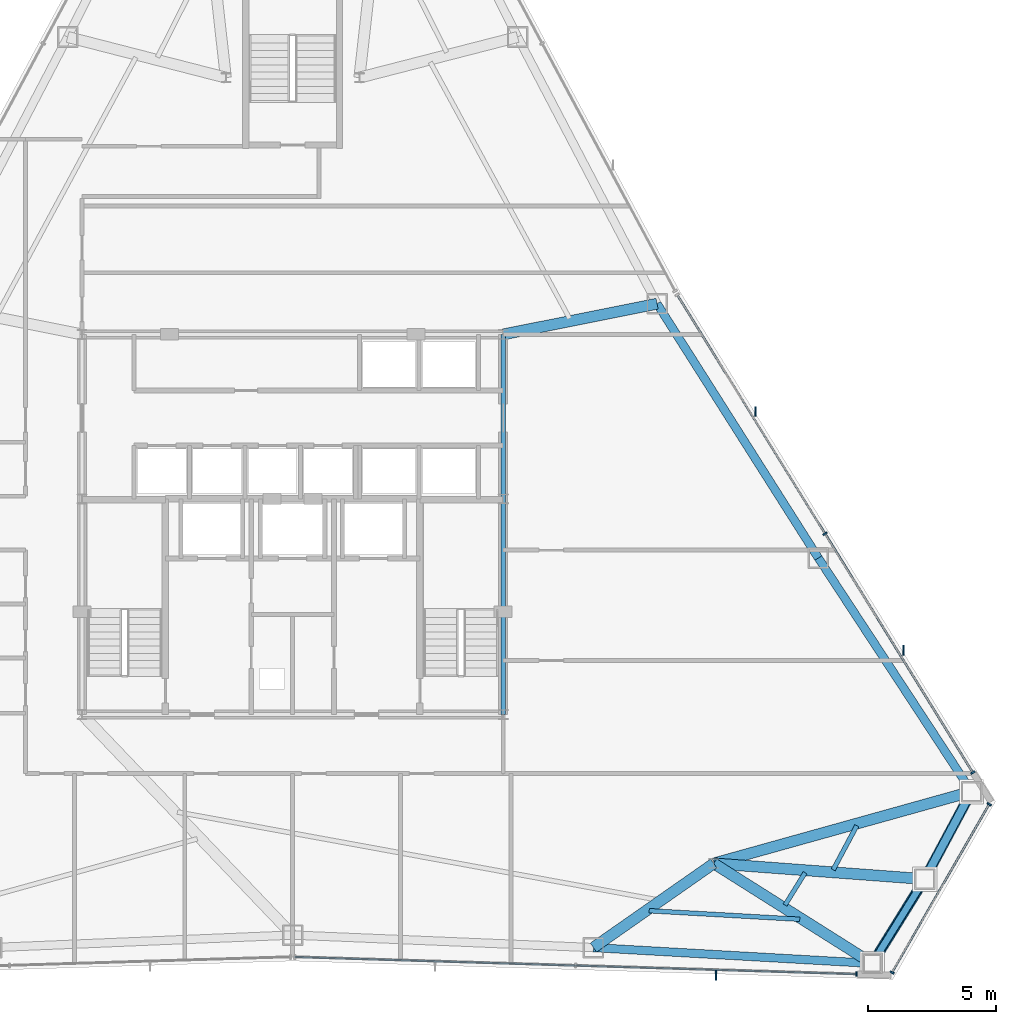
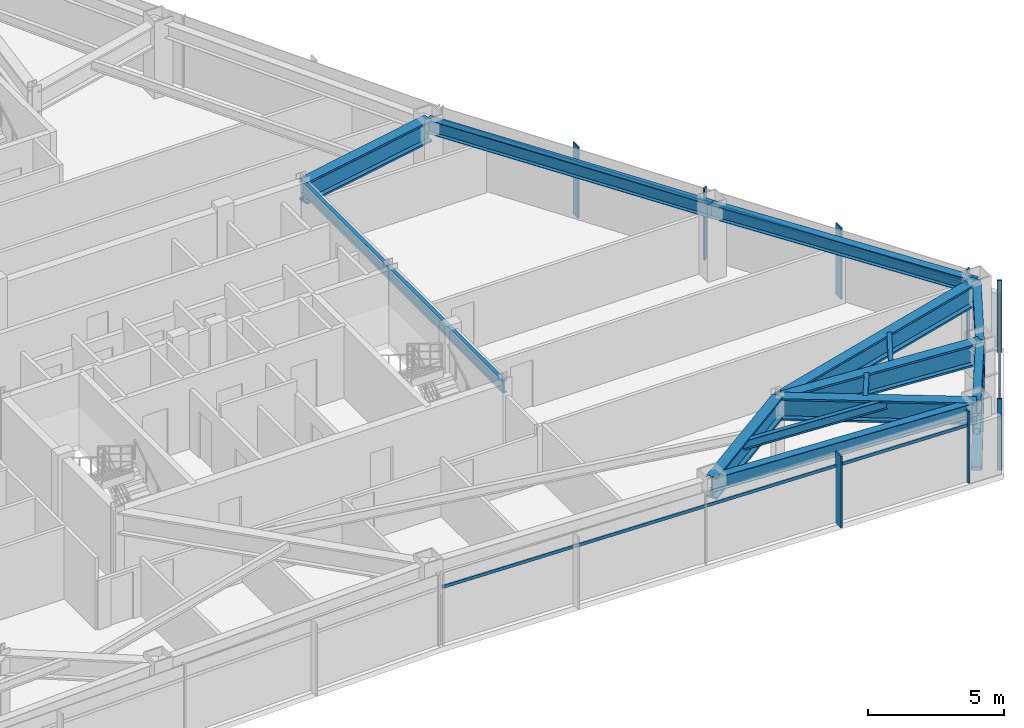
# One storey, part 7 of 13: 14 beams, 14 members, 3 elements without a shape of their own.
"""IFC4 building model written with IfcOpenShell, lengths in metres."""

import ifcopenshell
import ifcopenshell.guid

model = None  # the IFC model being written
_history = None  # IfcOwnerHistory: only IFC2X3 demands one
_inside = {}  # id of a spatial element -> (the spatial element, [elements in it])
_under = {}  # id of a project, library or spatial element -> (it, [spatial elements below it])
_declared = {}  # id of a project -> (the project, [libraries it declares])
_typed = {}  # id of a type object -> (the type object, [elements of that type])
_made_of = {}  # id of a material, layer set ... -> (it, [elements and type objects made of it])


def new_model(schema):
    """Start an empty IFC model of exactly this schema.

    Asked for "IFC4X3", IfcOpenShell would pick the latest addendum, in which some entities
    have other attributes; the version numbers below select the first issue.
    IFC2X3 requires an IfcOwnerHistory on every rooted entity: one is made here for all.
    """
    global model, _history
    if schema == "IFC4X3":
        model = ifcopenshell.file(schema_version=(4, 3, 0, 0))
    else:
        model = ifcopenshell.file(schema=schema)
    _inside.clear()
    _under.clear()
    _declared.clear()
    _typed.clear()
    _made_of.clear()
    _history = None
    if model.schema == "IFC2X3":
        org = make("IfcOrganization", Name="unknown")
        user = make(
            "IfcPersonAndOrganization",
            ThePerson=make("IfcPerson", FamilyName="unknown"),
            TheOrganization=org,
        )
        app = make(
            "IfcApplication",
            ApplicationDeveloper=org,
            Version="unknown",
            ApplicationFullName="unknown",
            ApplicationIdentifier="unknown",
        )
        _history = make(
            "IfcOwnerHistory",
            OwningUser=user,
            OwningApplication=app,
            ChangeAction="ADDED",
            CreationDate=0,
        )
    return model


def make(cls, **values):
    """One entity of the class cls with the attributes given. An attribute that is None is left unset."""
    return model.create_entity(
        cls, **{name: value for name, value in values.items() if value is not None}
    )


def rooted(cls, **values):
    """An entity with a GlobalId (a new one), such as an element, a storey or a relation."""
    return make(cls, GlobalId=ifcopenshell.guid.new(), OwnerHistory=_history, **values)


def si_unit(unit_type, name, prefix=None):
    """IfcSIUnit, for example si_unit("LENGTHUNIT", "METRE", prefix="MILLI")."""
    return make("IfcSIUnit", UnitType=unit_type, Prefix=prefix, Name=name)


def assignment(units):
    """IfcUnitAssignment: the units of a project."""
    return None if units is None else make("IfcUnitAssignment", Units=units)


def point(xyz):
    """IfcCartesianPoint."""
    return None if xyz is None else make("IfcCartesianPoint", Coordinates=xyz)


def direction(xyz):
    """IfcDirection."""
    return None if xyz is None else make("IfcDirection", DirectionRatios=xyz)


def frame(location, z_axis=None, x_axis=None):
    """IfcAxis2Placement3D, a coordinate frame: its origin and axes. An axis left out is left unset."""
    return make(
        "IfcAxis2Placement3D",
        Location=point(location),
        Axis=direction(z_axis),
        RefDirection=direction(x_axis),
    )


def frame_2d(location, x_axis=None):
    """IfcAxis2Placement2D, a coordinate frame in the plane: its origin and x axis."""
    return make(
        "IfcAxis2Placement2D", Location=point(location), RefDirection=direction(x_axis)
    )


def origin():
    """The frame at (0, 0, 0) with its axes left unset."""
    return frame((0.0, 0.0, 0.0))


def origin_2d():
    """The frame at (0, 0) in the plane with its x axis left unset."""
    return frame_2d((0.0, 0.0))


def place(relative_to, where):
    """IfcLocalPlacement: puts the frame where relative to a parent placement (None: the world)."""
    return make(
        "IfcLocalPlacement", PlacementRelTo=relative_to, RelativePlacement=where
    )


def context(
    kind, dimensions, precision=None, world=None, true_north=None, identifier=None
):
    """IfcGeometricRepresentationContext, for example the 3D "Model" context."""
    return make(
        "IfcGeometricRepresentationContext",
        ContextIdentifier=identifier,
        ContextType=kind,
        CoordinateSpaceDimension=dimensions,
        Precision=precision,
        WorldCoordinateSystem=world,
        TrueNorth=true_north,
    )


def subcontext(parent, identifier, kind, view, scale=None):
    """IfcGeometricRepresentationSubContext, for example "Body" below "Model"."""
    return make(
        "IfcGeometricRepresentationSubContext",
        ContextIdentifier=identifier,
        ContextType=kind,
        ParentContext=parent,
        TargetScale=scale,
        TargetView=view,
    )


def project(units=None, contexts=None):
    """IfcProject with its units and contexts."""
    return rooted(
        "IfcProject",
        Name="project",
        RepresentationContexts=contexts,
        UnitsInContext=assignment(units),
    )


def spatial(cls, under=None, at=None, **own):
    """A site, building, storey or space (cls), placed at a placement, below another one or the project."""
    s = rooted(cls, ObjectPlacement=at, **own)
    if under is not None:
        _under.setdefault(under.id(), (under, []))[1].append(s)
    return s


def profile(cls, at=None, kind="AREA", **sizes):
    """A parametric profile (cls). Its sizes go by their IFC names, for example OverallWidth=200.0."""
    return make(cls, ProfileType=kind, Position=at, **sizes)


def rectangle(**sizes):
    """IfcRectangleProfileDef."""
    return profile("IfcRectangleProfileDef", **sizes)


def hollow_rectangle(**sizes):
    """IfcRectangleHollowProfileDef."""
    return profile("IfcRectangleHollowProfileDef", **sizes)


def hollow_circle(**sizes):
    """IfcCircleHollowProfileDef."""
    return profile("IfcCircleHollowProfileDef", **sizes)


def i_section(**sizes):
    """IfcIShapeProfileDef."""
    return profile("IfcIShapeProfileDef", **sizes)


def extrude(swept, where, along, depth):
    """IfcExtrudedAreaSolid: the profile swept, set in the frame where, extruded along a direction by depth."""
    return make(
        "IfcExtrudedAreaSolid",
        SweptArea=swept,
        Position=where,
        ExtrudedDirection=direction(along),
        Depth=depth,
    )


def shape(context_of_items, identifier, shape_type, items):
    """IfcShapeRepresentation: the items that make up one representation, for example the "Body"."""
    return make(
        "IfcShapeRepresentation",
        ContextOfItems=context_of_items,
        RepresentationIdentifier=identifier,
        RepresentationType=shape_type,
        Items=items,
    )


def source(mapping_origin, context_of_items, identifier, shape_type, items):
    """IfcRepresentationMap: a shape defined once, which mapped items show again and again."""
    return make(
        "IfcRepresentationMap",
        MappingOrigin=mapping_origin,
        MappedRepresentation=shape(context_of_items, identifier, shape_type, items),
    )


def transform(
    local_origin,
    x_axis=None,
    y_axis=None,
    z_axis=None,
    scale=None,
    scale2=None,
    scale3=None,
    uniform=True,
):
    """IfcCartesianTransformationOperator3D, or its non-uniform kind. x_axis, y_axis, z_axis: its Axis1, 2, 3."""
    if uniform:
        return make(
            "IfcCartesianTransformationOperator3D",
            Axis1=direction(x_axis),
            Axis2=direction(y_axis),
            LocalOrigin=point(local_origin),
            Scale=scale,
            Axis3=direction(z_axis),
        )
    return make(
        "IfcCartesianTransformationOperator3DnonUniform",
        Axis1=direction(x_axis),
        Axis2=direction(y_axis),
        LocalOrigin=point(local_origin),
        Scale=scale,
        Axis3=direction(z_axis),
        Scale2=scale2,
        Scale3=scale3,
    )


def mapped(mapping_source, mapping_target):
    """IfcMappedItem: shows the shape of a source again, moved by a transform."""
    return make(
        "IfcMappedItem", MappingSource=mapping_source, MappingTarget=mapping_target
    )


def material(Name=None, Category=None):
    """IfcMaterial."""
    return make("IfcMaterial", Name=Name, Category=Category)


def layer(
    of_material, thickness, ventilated=None, Name=None, Category=None, Priority=None
):
    """IfcMaterialLayer: one layer of a wall or slab, of a material (None: an air gap)."""
    return make(
        "IfcMaterialLayer",
        Material=of_material,
        LayerThickness=thickness,
        IsVentilated=ventilated,
        Name=Name,
        Category=Category,
        Priority=Priority,
    )


def layer_set(layers, Name=None):
    """IfcMaterialLayerSet."""
    return make("IfcMaterialLayerSet", MaterialLayers=layers, LayerSetName=Name)


def material_profile(
    of_material, cross_section, Name=None, Category=None, Priority=None
):
    """IfcMaterialProfile: a cross section and its material."""
    return make(
        "IfcMaterialProfile",
        Name=Name,
        Material=of_material,
        Profile=cross_section,
        Priority=Priority,
        Category=Category,
    )


def profile_set(profiles, Name=None, composite=None):
    """IfcMaterialProfileSet."""
    return make(
        "IfcMaterialProfileSet",
        Name=Name,
        MaterialProfiles=profiles,
        CompositeProfile=composite,
    )


def made_of(thing, what):
    """Note that an element or type object is made of a material, layer set ...; save() writes the relation."""
    if what is not None:
        _made_of.setdefault(what.id(), (what, []))[1].append(thing)
    return thing


def type_object(cls, material=None, **own):
    """A type object (cls), such as IfcWallType, which elements share."""
    return made_of(rooted(cls, **own), material)


def type_shapes(of_type, sources):
    """Give a type object the sources (RepresentationMaps) that its elements show as mapped items."""
    of_type.RepresentationMaps = sources


def element(
    cls,
    number,
    at=None,
    inside=None,
    cuts=None,
    type_object=None,
    material=None,
    context=None,
    identifier="Body",
    shape_type=None,
    held_by="IfcProductDefinitionShape",
    body=None,
    shapes=None,
    **own,
):
    """One element of the class cls, such as IfcWall. Its Tag is "e" and its number.

    at: its placement. inside: the storey or other place that contains it. cuts: it is an
    opening in that element (IfcRelVoidsElement). A single representation is given by context,
    identifier, shape_type and body (its items); several are given by shapes. held_by: the class
    of the entity that holds the representations. save() writes the other relations.
    """
    e = rooted(cls, Tag="e%d" % number, ObjectPlacement=at, **own)
    if body is not None:
        shapes = [shape(context, identifier, shape_type, body)]
    if shapes is not None:
        e.Representation = make(held_by, Representations=shapes)
    if inside is not None:
        _inside.setdefault(inside.id(), (inside, []))[1].append(e)
    if cuts is not None:
        rooted(
            "IfcRelVoidsElement", RelatingBuildingElement=cuts, RelatedOpeningElement=e
        )
    if type_object is not None:
        _typed.setdefault(type_object.id(), (type_object, []))[1].append(e)
    return made_of(e, material)


def aggregate(whole, parts):
    """IfcRelAggregates: a whole, such as a stair, and the parts it consists of."""
    return rooted("IfcRelAggregates", RelatingObject=whole, RelatedObjects=parts)


def save(model, path):
    """Write the relations noted so far, then the file.

    IfcRelAggregates (storeys below a building ...), IfcRelContainedInSpatialStructure (elements
    in a storey), IfcRelDefinesByType, IfcRelAssociatesMaterial and IfcRelDeclares: one each for
    every whole, place, type object, material and project.
    """
    for whole, parts in _under.values():
        aggregate(whole, parts)
    for where, things in _inside.values():
        rooted(
            "IfcRelContainedInSpatialStructure",
            RelatedElements=things,
            RelatingStructure=where,
        )
    for kind, things in _typed.values():
        rooted("IfcRelDefinesByType", RelatedObjects=things, RelatingType=kind)
    for what, things in _made_of.values():
        rooted("IfcRelAssociatesMaterial", RelatedObjects=things, RelatingMaterial=what)
    for by, libraries in _declared.values():
        rooted("IfcRelDeclares", RelatingContext=by, RelatedDefinitions=libraries)
    model.write(path)


model = new_model("IFC4")

# Units and contexts
model_context = context("Model", 3, precision=1e-05, world=origin(), true_north=direction((0.0, 1.0)))
body_context = subcontext(model_context, "Body", "Model", "MODEL_VIEW")
ifc_project = project(units=[si_unit("LENGTHUNIT", "METRE"), si_unit("AREAUNIT", "SQUARE_METRE"), si_unit("VOLUMEUNIT", "CUBIC_METRE"), si_unit("PLANEANGLEUNIT", "RADIAN"), si_unit("MASSUNIT", "GRAM", prefix="KILO")], contexts=[model_context])

# Site, building, storey
site_placement = place(None, origin())
site = spatial("IfcSite", under=ifc_project, at=site_placement, CompositionType="ELEMENT")
building_placement = place(site_placement, origin())
building = spatial("IfcBuilding", under=site, at=building_placement, Name="Varakhsha Concourse Tower", CompositionType="ELEMENT")
storey_placement = place(building_placement, frame((0.0, 0.0, 168.89990234375)))
storey = spatial("IfcBuildingStorey", under=building, at=storey_placement, Name="L48", CompositionType="ELEMENT", Elevation=168.89990234375)

# Beams
ifc_material_1 = material(Name="Structural Steel ASTM A992 Grade 50", Category="steel")
ifc_material_profile_1 = material_profile(ifc_material_1, i_section(OverallWidth=0.177978515625, OverallDepth=0.406982421875, WebThickness=0.008056640625, FlangeThickness=0.012939453125, at=origin_2d()), Name="W16X40")
ifc_profile_set_1 = profile_set([ifc_material_profile_1], Name="Structural Steel ASTM A992 Grade 50")
beam_type_1 = type_object("IfcBeamType", Name="BM-JST-W16X40", PredefinedType="JOIST", material=ifc_profile_set_1)
beam_1_placement = place(storey_placement, frame((53.885498046875, 8.758544921875, 3.006591796875), z_axis=(0.998392580352, -0.056676763308, 0.0), x_axis=(0.056676763308, 0.998392580352, 0.0)))
element("IfcBeam", 1, at=beam_1_placement, inside=storey, type_object=beam_type_1, Name="BM-TJST-L48-12", PredefinedType="JOIST", context=body_context, shape_type="SweptSolid", body=[
    extrude(i_section(OverallWidth=0.177978515625, OverallDepth=0.406982421875, WebThickness=0.008056640625, FlangeThickness=0.012939453125, at=origin_2d()), origin(), (0.0, 0.0, 1.0), 5.871337890625),
])
beam_2_placement = place(storey_placement, frame((59.17431640625, 8.980224609375, 3.006591796875), z_axis=(0.527194551397, 0.84974461162, 0.0), x_axis=(-0.84974461162, 0.527194551397, 0.0)))
element("IfcBeam", 2, at=beam_2_placement, inside=storey, type_object=beam_type_1, Name="BM-TJST-L48-13", PredefinedType="JOIST", context=body_context, shape_type="SweptSolid", body=[
    extrude(i_section(OverallWidth=0.177978515625, OverallDepth=0.406982421875, WebThickness=0.008056640625, FlangeThickness=0.012939453125, at=origin_2d()), origin(), (0.0, 0.0, 1.0), 1.48046875),
])
beam_3_placement = place(storey_placement, frame((61.05029296875, 10.355712890625, 3.006591796875), z_axis=(0.47219702385, 0.881493034951, 0.0), x_axis=(-0.881493034951, 0.47219702385, 0.0)))
element("IfcBeam", 3, at=beam_3_placement, inside=storey, type_object=beam_type_1, Name="BM-TJST-L48-14", PredefinedType="JOIST", context=body_context, shape_type="SweptSolid", body=[
    extrude(i_section(OverallWidth=0.177978515625, OverallDepth=0.406982421875, WebThickness=0.008056640625, FlangeThickness=0.012939453125, at=origin_2d()), origin(), (0.0, 0.0, 1.0), 1.944580078125),
])
ifc_material_profile_2 = material_profile(ifc_material_1, i_section(OverallWidth=0.1669921875, OverallDepth=0.534912109375, WebThickness=0.010009765625, FlangeThickness=0.01708984375, at=origin_2d()), Name="W21X57")
ifc_profile_set_2 = profile_set([ifc_material_profile_2], Name="Structural Steel ASTM A992 Grade 50")
beam_type_2 = type_object("IfcBeamType", Name="BM-RAD-W21X57", PredefinedType="BEAM", material=ifc_profile_set_2)
beam_4_placement = place(storey_placement, frame((48.199951171875, 16.39990234375, 2.942626953125), z_axis=(0.0, 1.0, 0.0), x_axis=(-1.0, 0.0, 0.0)))
element("IfcBeam", 4, at=beam_4_placement, inside=storey, type_object=beam_type_2, Name="BM-TCORE-L48-CE", PredefinedType="BEAM", context=body_context, shape_type="SweptSolid", body=[
    extrude(i_section(OverallWidth=0.1669921875, OverallDepth=0.534912109375, WebThickness=0.010009765625, FlangeThickness=0.01708984375, at=origin_2d()), origin(), (0.0, 0.0, 1.0), 14.800048828125),
])
ifc_material_profile_3 = material_profile(ifc_material_1, i_section(OverallWidth=0.323974609375, OverallDepth=0.611083984375, WebThickness=0.012939453125, FlangeThickness=0.01904296875, at=origin_2d()), Name="W24X104")
ifc_profile_set_3 = profile_set([ifc_material_profile_3], Name="Structural Steel ASTM A992 Grade 50")
beam_type_3 = type_object("IfcBeamType", Name="BM-SPAN-W24X104", PredefinedType="SPANDREL", material=ifc_profile_set_3)
beam_5_placement = place(storey_placement, frame((51.71337890625, 7.322998046875, 2.904541015625), z_axis=(0.998392776911, -0.056673300699, 0.0), x_axis=(0.056673300699, 0.998392776911, 0.0)))
element("IfcBeam", 5, at=beam_5_placement, inside=storey, type_object=beam_type_3, Name="BM-SPAN-L48-12", PredefinedType="SPANDREL", context=body_context, shape_type="SweptSolid", body=[
    extrude(i_section(OverallWidth=0.323974609375, OverallDepth=0.611083984375, WebThickness=0.012939453125, FlangeThickness=0.01904296875, at=origin_2d()), origin(), (0.0, 0.0, 1.0), 10.87744140625),
])
for number, where, z_axis, x_axis, name in (
    (6, (62.5732421875, 6.70654296875, 2.904541015625), (0.52724807345, 0.849711403385, 0.0), (-0.849711403385, 0.52724807345, 0.0), "BM-SPAN-L48-13"),
    (7, (64.611083984375, 9.99072265625, 2.904541015625), (0.472226671097, 0.881477152911, 0.0), (-0.881477152911, 0.472226671097, 0.0), "BM-SPAN-L48-14"),
):
    element("IfcBeam", number, at=place(storey_placement, frame(where, z_axis=z_axis, x_axis=x_axis)), inside=storey, type_object=beam_type_3, Name=name, PredefinedType="SPANDREL", context=body_context, shape_type="SweptSolid", body=[
        extrude(i_section(OverallWidth=0.323974609375, OverallDepth=0.611083984375, WebThickness=0.012939453125, FlangeThickness=0.01904296875, at=origin_2d()), origin(), (0.0, 0.0, 1.0), 3.864990234375),
    ])
beam_6_placement = place(storey_placement, frame((66.436279296875, 13.397705078125, 2.904541015625), z_axis=(-0.548266128306, 0.836303923555, 0.0), x_axis=(-0.836303923555, -0.548266128306, 0.0)))
element("IfcBeam", 8, at=beam_6_placement, inside=storey, type_object=beam_type_3, Name="BM-SPAN-L48-15", PredefinedType="SPANDREL", context=body_context, shape_type="SweptSolid", body=[
    extrude(i_section(OverallWidth=0.323974609375, OverallDepth=0.611083984375, WebThickness=0.012939453125, FlangeThickness=0.01904296875, at=origin_2d()), origin(), (0.0, 0.0, 1.0), 10.877197265625),
])
beam_7_placement = place(storey_placement, frame((60.47265625, 22.494384765625, 2.904541015625), z_axis=(-0.535714805069, 0.844398986043, 0.0), x_axis=(-0.844398986043, -0.535714805069, 0.0)))
element("IfcBeam", 9, at=beam_7_placement, inside=storey, type_object=beam_type_3, Name="BM-SPAN-L48-16", PredefinedType="SPANDREL", context=body_context, shape_type="SweptSolid", body=[
    extrude(i_section(OverallWidth=0.323974609375, OverallDepth=0.611083984375, WebThickness=0.012939453125, FlangeThickness=0.01904296875, at=origin_2d()), origin(), (0.0, 0.0, 1.0), 11.7236328125),
])
ifc_material_profile_4 = material_profile(ifc_material_1, i_section(OverallWidth=0.427978515625, OverallDepth=0.97509765625, WebThickness=0.050048828125, FlangeThickness=0.0810546875, at=origin_2d()), Name="W36X395")
ifc_profile_set_4 = profile_set([ifc_material_profile_4], Name="Structural Steel ASTM A992 Grade 50")
beam_type_4 = type_object("IfcBeamType", Name="BM-XFER-W36X395", PredefinedType="USERDEFINED", material=ifc_profile_set_4)
beam_8_placement = place(storey_placement, frame((56.39990234375, 10.60009765625, 2.72265625), z_axis=(-0.81951662418, -0.573055409792, 0.0), x_axis=(0.573055409792, -0.81951662418, 0.0)))
element("IfcBeam", 10, at=beam_8_placement, inside=storey, type_object=beam_type_4, Name="L48 Radial Floor Girder 12", ObjectType="GIRDER", PredefinedType="USERDEFINED", context=body_context, shape_type="SweptSolid", body=[
    extrude(i_section(OverallWidth=0.427978515625, OverallDepth=0.97509765625, WebThickness=0.050048828125, FlangeThickness=0.0810546875, at=origin_2d()), origin(), (0.0, 0.0, 1.0), 5.71875),
])
beam_9_placement = place(storey_placement, frame((56.39990234375, 10.60009765625, 2.72265625), z_axis=(0.845822577747, -0.533464307123, 0.0), x_axis=(0.533464307123, 0.845822577747, 0.0)))
element("IfcBeam", 11, at=beam_9_placement, inside=storey, type_object=beam_type_4, Name="L48 Radial Floor Girder 13", ObjectType="GIRDER", PredefinedType="USERDEFINED", context=body_context, shape_type="SweptSolid", body=[
    extrude(i_section(OverallWidth=0.427978515625, OverallDepth=0.97509765625, WebThickness=0.050048828125, FlangeThickness=0.0810546875, at=origin_2d()), origin(), (0.0, 0.0, 1.0), 7.298583984375),
])
beam_10_placement = place(storey_placement, frame((56.39990234375, 10.60009765625, 2.72265625), z_axis=(0.99725755111, -0.074009301804, 0.0), x_axis=(0.074009301804, 0.99725755111, 0.0)))
element("IfcBeam", 12, at=beam_10_placement, inside=storey, type_object=beam_type_4, Name="L48 Radial Floor Girder 14", ObjectType="GIRDER", PredefinedType="USERDEFINED", context=body_context, shape_type="SweptSolid", body=[
    extrude(i_section(OverallWidth=0.427978515625, OverallDepth=0.97509765625, WebThickness=0.050048828125, FlangeThickness=0.0810546875, at=origin_2d()), origin(), (0.0, 0.0, 1.0), 8.233642578125),
])
beam_11_placement = place(storey_placement, frame((56.39990234375, 10.60009765625, 2.72265625), z_axis=(0.963276818964, 0.268510279221, 0.0), x_axis=(-0.268510279221, 0.963276818964, 0.0)))
element("IfcBeam", 13, at=beam_11_placement, inside=storey, type_object=beam_type_4, Name="L48 Radial Floor Girder 15", ObjectType="GIRDER", PredefinedType="USERDEFINED", context=body_context, shape_type="SweptSolid", body=[
    extrude(i_section(OverallWidth=0.427978515625, OverallDepth=0.97509765625, WebThickness=0.050048828125, FlangeThickness=0.0810546875, at=origin_2d()), origin(), (0.0, 0.0, 1.0), 10.4189453125),
])
beam_12_placement = place(storey_placement, frame((48.199951171875, 31.199951171875, 2.72265625), z_axis=(0.980724872564, 0.195393767391, 0.0), x_axis=(-0.195393767391, 0.980724872564, 0.0)))
element("IfcBeam", 14, at=beam_12_placement, inside=storey, type_object=beam_type_4, Name="L48 Radial Floor Girder 17", ObjectType="GIRDER", PredefinedType="USERDEFINED", context=body_context, shape_type="SweptSolid", body=[
    extrude(i_section(OverallWidth=0.427978515625, OverallDepth=0.97509765625, WebThickness=0.050048828125, FlangeThickness=0.0810546875, at=origin_2d()), origin(), (0.0, 0.0, 1.0), 6.10986328125),
])

# Members
ifc_material_2 = material(Name="Structural Steel ASTM A500 Grade C", Category="steel")
ifc_material_profile_5 = material_profile(ifc_material_2, hollow_rectangle(XDim=0.39990234375, YDim=0.39990234375, WallThickness=0.01611328125, at=origin_2d()), Name="HSS 400x400x16")
ifc_profile_set_5 = profile_set([ifc_material_profile_5], Name="Structural Steel ASTM A500 Grade C")
member_type_1 = type_object("IfcMemberType", Name="MB-TUBE-HSS400", PredefinedType="BRACE", material=ifc_profile_set_5)
shared_shape_1 = source(origin(), body_context, "Body", "SweptSolid", [
    extrude(hollow_rectangle(XDim=0.39990234375, YDim=0.39990234375, WallThickness=0.01611328125, at=origin_2d()), origin(), (0.0, 0.0, 1.0), 4.766845703125),
])
type_shapes(member_type_1, [shared_shape_1])
for number, where, z_axis, x_axis, name in (
    (15, (62.5732421875, 6.70654296875, 0.1201171875), (0.427501927129, 0.688960815112, 0.585299152178), (-0.849711403385, 0.52724807345, 0.0), "L48 Wind-Corner Tube Brace B05"),
    (16, (66.436279296875, 13.397705078125, 0.1201171875), (-0.382890632553, -0.71471893757, 0.585296167578), (0.881477152911, -0.472226671097, 0.0), "L48 Wind-Corner Tube Brace B06"),
):
    element("IfcMember", number, at=place(storey_placement, frame(where, z_axis=z_axis, x_axis=x_axis)), inside=storey, type_object=member_type_1, Name=name, PredefinedType="BRACE", context=body_context, shape_type="MappedRepresentation", body=[
        mapped(shared_shape_1, transform((0.0, 0.0, 0.0), scale=1.0)),
    ])
ifc_material_profile_6 = material_profile(ifc_material_2, hollow_circle(Radius=0.136474609375, WallThickness=0.011962890625, at=origin_2d()), Name="CHS 273x12")
ifc_profile_set_6 = profile_set([ifc_material_profile_6], Name="Structural Steel ASTM A500 Grade C")
member_type_2 = type_object("IfcMemberType", Name="MB-WIND-CHS273", PredefinedType="COLLAR", material=ifc_profile_set_6)
shared_shape_2 = source(origin(), body_context, "Body", "SweptSolid", [
    extrude(hollow_circle(Radius=0.136474609375, WallThickness=0.011962890625, at=origin_2d()), origin(), (0.0, 0.0, 1.0), 3.864990234375),
])
type_shapes(member_type_2, [shared_shape_2])
member_1_placement = place(storey_placement, frame((62.5732421875, 6.70654296875, 1.800048828125), z_axis=(0.52724807345, 0.849711403385, 0.0), x_axis=(-0.849711403385, 0.52724807345, 0.0)))
element("IfcMember", 17, at=member_1_placement, inside=storey, type_object=member_type_2, Name="L48 Wind-Corner Collar Tie 3", PredefinedType="COLLAR", context=body_context, shape_type="MappedRepresentation", body=[
    mapped(shared_shape_2, transform((0.0, 0.0, 0.0), scale=1.0)),
])

# Curtain wall, member
ifc_material_3 = material(Name="Anodised Bronze Architectural Aluminium AA 6063-T6", Category="aluminium")
ifc_layer = layer(ifc_material_3, 0.2099609375, Name="CW-SYS-04")
ifc_layer_set = layer_set([ifc_layer], Name="Anodised Bronze Architectural Aluminium AA 6063-T6")
curtain_wall_type = type_object("IfcCurtainWallType", Name="CW-SYS-04", PredefinedType="NOTDEFINED", material=ifc_layer_set)
curtain_wall_1_placement = place(storey_placement, origin())
curtain_wall_1 = element("IfcCurtainWall", 18, at=curtain_wall_1_placement, inside=storey, type_object=curtain_wall_type, Name="L48 Crystal Curtain Wall F6", PredefinedType="NOTDEFINED")
ifc_material_profile_7 = material_profile(ifc_material_3, rectangle(XDim=0.06005859375, YDim=0.3798828125, at=origin_2d()), Name="FIN-BRZ-380")
ifc_profile_set_7 = profile_set([ifc_material_profile_7], Name="Anodised Bronze Architectural Aluminium AA 6063-T6")
member_type_3 = type_object("IfcMemberType", Name="FIN-BRZ-380", PredefinedType="USERDEFINED", material=ifc_profile_set_7)
shared_shape_3 = source(origin(), body_context, "Body", "SweptSolid", [
    extrude(rectangle(XDim=0.06005859375, YDim=0.3798828125, at=origin_2d()), origin(), (0.0, 0.0, 1.0), 3.210205078125),
])
type_shapes(member_type_3, [shared_shape_3])
member_2_placement = place(storey_placement, frame((56.48388671875, 6.251953125, 0.0), z_axis=(0.0, 0.0, 1.0), x_axis=(1.0, 0.0, 0.0)))
member_2 = element("IfcMember", 19, at=member_2_placement, type_object=member_type_3, Name="L48 Anodised Bronze Solar Fin F6-1", ObjectType="SOLAR FIN", PredefinedType="USERDEFINED", context=body_context, shape_type="MappedRepresentation", body=[
    mapped(shared_shape_3, transform((0.0, 0.0, 0.0), scale=1.0)),
])

# Curtain wall, members
curtain_wall_2_placement = place(storey_placement, origin())
curtain_wall_2 = element("IfcCurtainWall", 20, at=curtain_wall_2_placement, inside=storey, type_object=curtain_wall_type, Name="L48 Crystal Curtain Wall F8", PredefinedType="NOTDEFINED")
member_3_placement = place(storey_placement, frame((58.02783203125, 28.203125, 0.0), z_axis=(0.0, 0.0, 1.0), x_axis=(1.0, 0.0, 0.0)))
member_3 = element("IfcMember", 21, at=member_3_placement, type_object=member_type_3, Name="L48 Anodised Bronze Solar Fin F8-1", ObjectType="SOLAR FIN", PredefinedType="USERDEFINED", context=body_context, shape_type="MappedRepresentation", body=[
    mapped(shared_shape_3, transform((0.0, 0.0, 0.0), scale=1.0)),
])
member_4_placement = place(storey_placement, frame((63.785400390625, 18.8984375, 0.0), z_axis=(0.0, 0.0, 1.0), x_axis=(1.0, 0.0, 0.0)))
member_4 = element("IfcMember", 22, at=member_4_placement, type_object=member_type_3, Name="L48 Anodised Bronze Solar Fin F8-2", ObjectType="SOLAR FIN", PredefinedType="USERDEFINED", context=body_context, shape_type="MappedRepresentation", body=[
    mapped(shared_shape_3, transform((0.0, 0.0, 0.0), scale=1.0)),
])

# Member
ifc_material_profile_8 = material_profile(ifc_material_3, rectangle(XDim=0.06005859375, YDim=0.139892578125, at=origin_2d()), Name="CWT-140X60")
ifc_profile_set_8 = profile_set([ifc_material_profile_8], Name="Anodised Bronze Architectural Aluminium AA 6063-T6")
member_type_4 = type_object("IfcMemberType", Name="CWT-140X60", PredefinedType="USERDEFINED", material=ifc_profile_set_8)
shared_shape_4 = source(origin(), body_context, "Body", "SweptSolid", [
    extrude(rectangle(XDim=0.06005859375, YDim=0.139892578125, at=origin_2d()), origin(), (0.0, 0.0, 1.0), 21.88427734375),
])
member_5_placement = place(storey_placement, frame((61.958740234375, 6.289794921875, 2.56005859375), z_axis=(-0.999534069287, 0.030522849386, 0.0), x_axis=(-0.030522849386, -0.999534069287, 0.0)))
member_5 = element("IfcMember", 23, at=member_5_placement, type_object=member_type_4, Name="CW-L48-F6 Transom 01", ObjectType="TRANSOM", PredefinedType="USERDEFINED", context=body_context, shape_type="MappedRepresentation", body=[
    mapped(shared_shape_4, transform((0.0, 0.0, 0.0), scale=1.0)),
])

shared_shape_5 = source(origin(), body_context, "Body", "SweptSolid", [
    extrude(rectangle(XDim=0.06005859375, YDim=0.139892578125, at=origin_2d()), origin(), (0.0, 0.0, 1.0), 21.884033203125),
])
member_6_placement = place(storey_placement, frame((54.974609375, 32.74755859375, 2.56005859375), z_axis=(0.526199060722, -0.850361422276, 0.0), x_axis=(0.850361422276, 0.526199060722, 0.0)))
member_6 = element("IfcMember", 24, at=member_6_placement, type_object=member_type_4, Name="CW-L48-F8 Transom 01", ObjectType="TRANSOM", PredefinedType="USERDEFINED", context=body_context, shape_type="MappedRepresentation", body=[
    mapped(shared_shape_5, transform((0.0, 0.0, 0.0), scale=1.0)),
])

# Curtain wall, member
curtain_wall_3_placement = place(storey_placement, origin())
curtain_wall_3 = element("IfcCurtainWall", 25, at=curtain_wall_3_placement, inside=storey, type_object=curtain_wall_type, Name="L48 Chamfer Curtain Wall F7", PredefinedType="NOTDEFINED")
shared_shape_6 = source(origin(), body_context, "Body", "SweptSolid", [
    extrude(rectangle(XDim=0.06005859375, YDim=0.139892578125, at=origin_2d()), origin(), (0.0, 0.0, 1.0), 7.56005859375),
])
type_shapes(member_type_4, [shared_shape_4, shared_shape_5, shared_shape_6])
member_7_placement = place(storey_placement, frame((67.12451171875, 12.904296875, 2.56005859375), z_axis=(-0.500004791531, -0.866022637375, 0.0), x_axis=(0.866022637375, -0.500004791531, 0.0)))
member_7 = element("IfcMember", 26, at=member_7_placement, type_object=member_type_4, Name="CW-L48-F7 Transom 01", ObjectType="TRANSOM", PredefinedType="USERDEFINED", context=body_context, shape_type="MappedRepresentation", body=[
    mapped(shared_shape_6, transform((0.0, 0.0, 0.0), scale=1.0)),
])

# Member
ifc_material_profile_9 = material_profile(ifc_material_3, rectangle(XDim=0.06494140625, YDim=0.179931640625, at=origin_2d()), Name="CWM-180X65")
ifc_profile_set_9 = profile_set([ifc_material_profile_9], Name="Anodised Bronze Architectural Aluminium AA 6063-T6")
member_type_5 = type_object("IfcMemberType", Name="CWM-180X65", PredefinedType="MULLION", material=ifc_profile_set_9)
shared_shape_7 = source(origin(), body_context, "Body", "SweptSolid", [
    extrude(rectangle(XDim=0.06494140625, YDim=0.179931640625, at=origin_2d()), origin(), (0.0, 0.0, 1.0), 3.210205078125),
])
type_shapes(member_type_5, [shared_shape_7])
member_8_placement = place(storey_placement, frame((61.958740234375, 6.289794921875, 0.0), z_axis=(0.0, 0.0, 1.0), x_axis=(-0.999534017137, 0.030524557085, 0.0)))
member_8 = element("IfcMember", 27, at=member_8_placement, type_object=member_type_5, Name="CW-L48-F6 Mullion 00", PredefinedType="MULLION", context=body_context, shape_type="MappedRepresentation", body=[
    mapped(shared_shape_7, transform((0.0, 0.0, 0.0), scale=1.0)),
])

aggregate(curtain_wall_1, [member_8, member_5, member_2])

member_9_placement = place(storey_placement, frame((67.12451171875, 12.904296875, 0.0), z_axis=(0.0, 0.0, 1.0), x_axis=(-0.499990930976, -0.866030639725, 0.0)))
member_9 = element("IfcMember", 28, at=member_9_placement, type_object=member_type_5, Name="CW-L48-F7 Mullion 00", PredefinedType="MULLION", context=body_context, shape_type="MappedRepresentation", body=[
    mapped(shared_shape_7, transform((0.0, 0.0, 0.0), scale=1.0)),
])

member_10_placement = place(storey_placement, frame((63.344482421875, 6.357177734375, 0.0), z_axis=(0.0, 0.0, 1.0), x_axis=(-0.499990930976, -0.866030639725, 0.0)))
member_10 = element("IfcMember", 29, at=member_10_placement, type_object=member_type_5, Name="CW-L48-F7 Mullion 01", PredefinedType="MULLION", context=body_context, shape_type="MappedRepresentation", body=[
    mapped(shared_shape_7, transform((0.0, 0.0, 0.0), scale=1.0)),
])

aggregate(curtain_wall_3, [member_9, member_10, member_7])

member_11_placement = place(storey_placement, frame((60.732421875, 23.44287109375, 0.0), z_axis=(0.0, 0.0, 1.0), x_axis=(0.526199082126, -0.850361409032, 0.0)))
member_11 = element("IfcMember", 30, at=member_11_placement, type_object=member_type_5, Name="CW-L48-F8 Mullion 01", PredefinedType="MULLION", context=body_context, shape_type="MappedRepresentation", body=[
    mapped(shared_shape_7, transform((0.0, 0.0, 0.0), scale=1.0)),
])

member_12_placement = place(storey_placement, frame((66.489990234375, 14.13818359375, 0.0), z_axis=(0.0, 0.0, 1.0), x_axis=(0.526199082126, -0.850361409032, 0.0)))
member_12 = element("IfcMember", 31, at=member_12_placement, type_object=member_type_5, Name="CW-L48-F8 Mullion 02", PredefinedType="MULLION", context=body_context, shape_type="MappedRepresentation", body=[
    mapped(shared_shape_7, transform((0.0, 0.0, 0.0), scale=1.0)),
])

aggregate(curtain_wall_2, [member_11, member_12, member_6, member_3, member_4])

save(model, "model.ifc")
